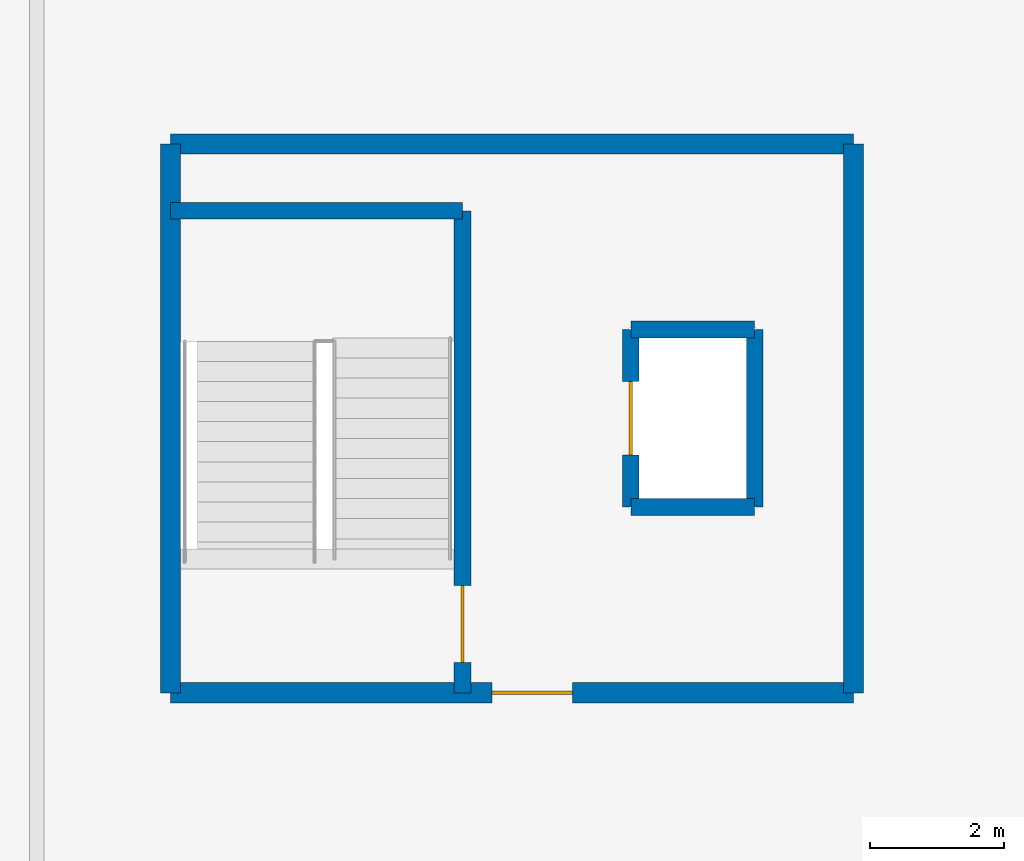
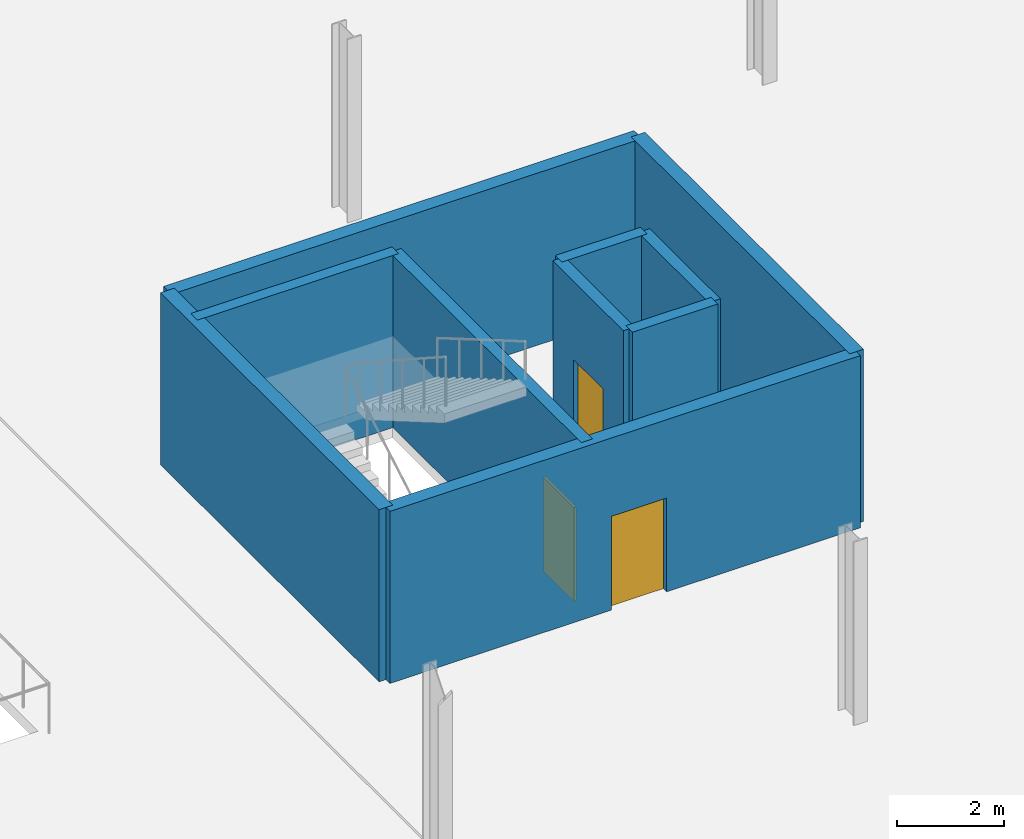
# One storey, part 115 of 135: 10 walls, 3 doors, 3 openings.
"""IFC4 building model written with IfcOpenShell, lengths in metres."""

from ifc_helpers import new_model, si_unit, direction, frame, frame_2d, origin, place, context, subcontext, project, spatial, rectangle, extrude, material, layer, layer_set, type_object, element, fill, save


model = new_model("IFC4")

# Units and contexts
model_context = context("Model", 3, precision=1e-05, world=origin(), true_north=direction((0.0, 1.0)))
body_context = subcontext(model_context, "Body", "Model", "MODEL_VIEW")
ifc_project = project(units=[si_unit("LENGTHUNIT", "METRE"), si_unit("AREAUNIT", "SQUARE_METRE"), si_unit("VOLUMEUNIT", "CUBIC_METRE"), si_unit("PLANEANGLEUNIT", "RADIAN"), si_unit("MASSUNIT", "GRAM", prefix="KILO")], contexts=[model_context])

# Site, building, storey
site_placement = place(None, origin())
site = spatial("IfcSite", under=ifc_project, at=site_placement, CompositionType="ELEMENT")
building_placement = place(site_placement, origin())
building = spatial("IfcBuilding", under=site, at=building_placement, Name="Deido Ridge Mobility Hub", CompositionType="ELEMENT")
storey_placement = place(building_placement, frame((0.0, 0.0, 4.199951171875)))
storey = spatial("IfcBuildingStorey", under=building, at=storey_placement, Name="L01", CompositionType="ELEMENT", Elevation=4.199951171875)

# Wall, opening, door
ifc_material_1 = material(Name="Concrete C40/50", Category="concrete")
ifc_layer_1 = layer(ifc_material_1, 0.25, Name="Concrete C40/50")
ifc_layer_set_1 = layer_set([ifc_layer_1], Name="Concrete C40/50")
wall_type_1 = type_object("IfcWallType", Name="WL-SHR-RC-250", PredefinedType="SHEAR", material=ifc_layer_set_1)
wall_1_placement = place(storey_placement, frame((78.360107421875, 99.39990234375, 0.0), z_axis=(0.0, 0.0, 1.0), x_axis=(0.0, 1.0, 0.0)))
wall_1 = element("IfcWall", 1, at=wall_1_placement, inside=storey, type_object=wall_type_1, Name="C5 stair shaft east wall", PredefinedType="SHEAR", context=body_context, shape_type="SweptSolid", body=[
    extrude(rectangle(XDim=7.2001953125, YDim=0.25, at=frame_2d((3.60009765625, 0.0))), origin(), (0.0, 0.0, 1.0), 3.945068359375),
])
opening_1_placement = place(wall_1_placement, frame((0.449951171875, 0.0, 0.0)))
opening_1 = element("IfcOpeningElement", 2, at=opening_1_placement, cuts=wall_1, Name="Opening FD-C5-L01", PredefinedType="OPENING", context=body_context, shape_type="SweptSolid", body=[
    extrude(rectangle(XDim=1.14990234375, YDim=2.14990234375, at=frame_2d((0.574951171875, 1.074951171875))), frame((0.0, 0.135009765625, 0.0), z_axis=(0.0, -1.0, 0.0), x_axis=(1.0, 0.0, 0.0)), (0.0, 0.0, 1.0), 0.27001953125),
])
ifc_material_2 = material(Name="Galvanised steel work", Category="steel")
door_type_1 = type_object("IfcDoorType", Name="DR-FD60-1150X2150", OperationType="NOTDEFINED", PredefinedType="DOOR", material=ifc_material_2)
door_1_placement = place(opening_1_placement, origin())
door_1 = element("IfcDoor", 3, at=door_1_placement, inside=storey, type_object=door_type_1, Name="DR-I0106 C5 protected stair door (L01)", OperationType="SINGLE_SWING_LEFT", OverallHeight=2.14990234375, OverallWidth=1.14990234375, PredefinedType="DOOR", context=body_context, shape_type="SweptSolid", body=[
    extrude(rectangle(XDim=1.14990234375, YDim=2.14990234375, at=frame_2d((0.574951171875, 1.074951171875))), frame((0.0, 0.02490234375, 0.0), z_axis=(0.0, -1.0, 0.0), x_axis=(1.0, 0.0, 0.0)), (0.0, 0.0, 1.0), 0.050048828125),
])
fill(opening_1, door_1)

# Walls
wall_2_placement = place(storey_placement, frame((74.0, 106.60009765625, 0.0), z_axis=(0.0, 0.0, 1.0), x_axis=(1.0, 0.0, 0.0)))
element("IfcWall", 4, at=wall_2_placement, inside=storey, type_object=wall_type_1, Name="C5 stair shaft north wall", PredefinedType="SHEAR", context=body_context, shape_type="SweptSolid", body=[
    extrude(rectangle(XDim=4.360107421875, YDim=0.25, at=frame_2d((2.18017578125, 0.0))), origin(), (0.0, 0.0, 1.0), 3.945068359375),
])
for number, where, z_axis, x_axis, name in (
    (5, (80.875, 102.175048828125, 0.0), (0.0, 0.0, 1.0), (1.0, 0.0, 0.0), "Lift PL3 south shaft wall"),
    (6, (80.875, 104.824951171875, 0.0), (0.0, 0.0, 1.0), (1.0, 0.0, 0.0), "Lift PL3 north shaft wall"),
):
    element("IfcWall", number, at=place(storey_placement, frame(where, z_axis=z_axis, x_axis=x_axis)), inside=storey, type_object=wall_type_1, Name=name, PredefinedType="SHEAR", context=body_context, shape_type="SweptSolid", body=[
        extrude(rectangle(XDim=1.85009765625, YDim=0.25, at=frame_2d((0.925048828125, 0.0))), origin(), (0.0, 0.0, 1.0), 3.945068359375),
    ])
wall_3_placement = place(storey_placement, frame((82.72509765625, 102.175048828125, 0.0), z_axis=(0.0, 0.0, 1.0), x_axis=(0.0, 1.0, 0.0)))
element("IfcWall", 7, at=wall_3_placement, inside=storey, type_object=wall_type_1, Name="Lift PL3 rear shaft wall", PredefinedType="SHEAR", context=body_context, shape_type="SweptSolid", body=[
    extrude(rectangle(XDim=2.64990234375, YDim=0.25, at=frame_2d((1.324951171875, 0.0))), origin(), (0.0, 0.0, 1.0), 3.945068359375),
])

# Wall, opening, door
wall_4_placement = place(storey_placement, frame((80.875, 102.175048828125, 0.0), z_axis=(0.0, 0.0, 1.0), x_axis=(0.0, 1.0, 0.0)))
wall_4 = element("IfcWall", 8, at=wall_4_placement, inside=storey, type_object=wall_type_1, Name="Lift PL3 landing wall", PredefinedType="SHEAR", context=body_context, shape_type="SweptSolid", body=[
    extrude(rectangle(XDim=2.64990234375, YDim=0.25, at=frame_2d((1.324951171875, 0.0))), origin(), (0.0, 0.0, 1.0), 3.945068359375),
])
opening_2_placement = place(wall_4_placement, frame((0.77490234375, 0.0, 0.0)))
opening_2 = element("IfcOpeningElement", 9, at=opening_2_placement, cuts=wall_4, Name="Opening LD-PL3", PredefinedType="OPENING", context=body_context, shape_type="SweptSolid", body=[
    extrude(rectangle(XDim=1.10009765625, YDim=2.14990234375, at=frame_2d((0.550048828125, 1.074951171875))), frame((0.0, 0.135009765625, 0.0), z_axis=(0.0, -1.0, 0.0), x_axis=(1.0, 0.0, 0.0)), (0.0, 0.0, 1.0), 0.27001953125),
])
ifc_material_3 = material(Name="Stainless steel 316", Category="steel")
door_type_2 = type_object("IfcDoorType", Name="DR-LND-PAS-1100X2150", OperationType="DOUBLE_DOOR_SLIDING", PredefinedType="USERDEFINED", material=ifc_material_3)
door_2_placement = place(opening_2_placement, origin())
door_2 = element("IfcDoor", 10, at=door_2_placement, inside=storey, type_object=door_type_2, Name="DR-I0108 Lift PL3 sliding landing door (L01)", ObjectType="LANDING DOOR", OperationType="DOUBLE_DOOR_SLIDING", OverallHeight=2.14990234375, OverallWidth=1.10009765625, PredefinedType="USERDEFINED", context=body_context, shape_type="SweptSolid", body=[
    extrude(rectangle(XDim=1.10009765625, YDim=2.14990234375, at=frame_2d((0.550048828125, 1.074951171875))), frame((0.0, 0.02490234375, 0.0), z_axis=(0.0, -1.0, 0.0), x_axis=(1.0, 0.0, 0.0)), (0.0, 0.0, 1.0), 0.050048828125),
])
fill(opening_2, door_2)

ifc_layer_2 = layer(ifc_material_1, 0.300048828125, Name="Concrete C40/50")
ifc_layer_set_2 = layer_set([ifc_layer_2], Name="Concrete C40/50")
wall_type_2 = type_object("IfcWallType", Name="WL-SHR-RC-300", PredefinedType="SHEAR", material=ifc_layer_set_2)
wall_5_placement = place(storey_placement, frame((74.0, 99.39990234375, 0.0), z_axis=(0.0, 0.0, 1.0), x_axis=(1.0, 0.0, 0.0)))
wall_5 = element("IfcWall", 11, at=wall_5_placement, inside=storey, type_object=wall_type_2, Name="C5 south shear wall", PredefinedType="SHEAR", context=body_context, shape_type="SweptSolid", body=[
    extrude(rectangle(XDim=10.199951171875, YDim=0.300048828125, at=frame_2d((5.10009765625, 0.0))), origin(), (0.0, 0.0, 1.0), 3.945068359375),
])
opening_3_placement = place(wall_5_placement, frame((4.800048828125, 0.0, 0.0)))
opening_3 = element("IfcOpeningElement", 12, at=opening_3_placement, cuts=wall_5, Name="Opening LD-C5-107", PredefinedType="OPENING", context=body_context, shape_type="SweptSolid", body=[
    extrude(rectangle(XDim=1.199951171875, YDim=2.14990234375, at=frame_2d((0.60009765625, 1.074951171875))), frame((0.0, 0.16015625, 0.0), z_axis=(0.0, -1.0, 0.0), x_axis=(1.0, 0.0, 0.0)), (0.0, 0.0, 1.0), 0.320068359375),
])
door_type_3 = type_object("IfcDoorType", Name="DR-FD60-1200X2150", OperationType="NOTDEFINED", PredefinedType="DOOR", material=ifc_material_2)
door_3_placement = place(opening_3_placement, origin())
door_3 = element("IfcDoor", 13, at=door_3_placement, inside=storey, type_object=door_type_3, Name="DR-I0107 C5 lift lobby door (L01)", OperationType="SINGLE_SWING_RIGHT", OverallHeight=2.14990234375, OverallWidth=1.199951171875, PredefinedType="DOOR", context=body_context, shape_type="SweptSolid", body=[
    extrude(rectangle(XDim=1.199951171875, YDim=2.14990234375, at=frame_2d((0.60009765625, 1.074951171875))), frame((0.0, 0.02490234375, 0.0), z_axis=(0.0, -1.0, 0.0), x_axis=(1.0, 0.0, 0.0)), (0.0, 0.0, 1.0), 0.050048828125),
])
fill(opening_3, door_3)

# Walls
wall_6_placement = place(storey_placement, frame((84.199951171875, 99.39990234375, 0.0), z_axis=(0.0, 0.0, 1.0), x_axis=(0.0, 1.0, 0.0)))
element("IfcWall", 14, at=wall_6_placement, inside=storey, type_object=wall_type_2, Name="C5 east shear wall", PredefinedType="SHEAR", context=body_context, shape_type="SweptSolid", body=[
    extrude(rectangle(XDim=8.2001953125, YDim=0.300048828125, at=frame_2d((4.10009765625, 0.0))), origin(), (0.0, 0.0, 1.0), 3.945068359375),
])
wall_7_placement = place(storey_placement, frame((84.199951171875, 107.60009765625, 0.0), z_axis=(0.0, 0.0, 1.0), x_axis=(-1.0, 0.0, 0.0)))
element("IfcWall", 15, at=wall_7_placement, inside=storey, type_object=wall_type_2, Name="C5 north shear wall", PredefinedType="SHEAR", context=body_context, shape_type="SweptSolid", body=[
    extrude(rectangle(XDim=10.199951171875, YDim=0.300048828125, at=frame_2d((5.10009765625, 0.0))), origin(), (0.0, 0.0, 1.0), 3.945068359375),
])
wall_8_placement = place(storey_placement, frame((74.0, 107.60009765625, 0.0), z_axis=(0.0, 0.0, 1.0), x_axis=(0.0, -1.0, 0.0)))
element("IfcWall", 16, at=wall_8_placement, inside=storey, type_object=wall_type_2, Name="C5 west shear wall", PredefinedType="SHEAR", context=body_context, shape_type="SweptSolid", body=[
    extrude(rectangle(XDim=8.2001953125, YDim=0.300048828125, at=frame_2d((4.10009765625, 0.0))), origin(), (0.0, 0.0, 1.0), 3.945068359375),
])

save(model, "model.ifc")
